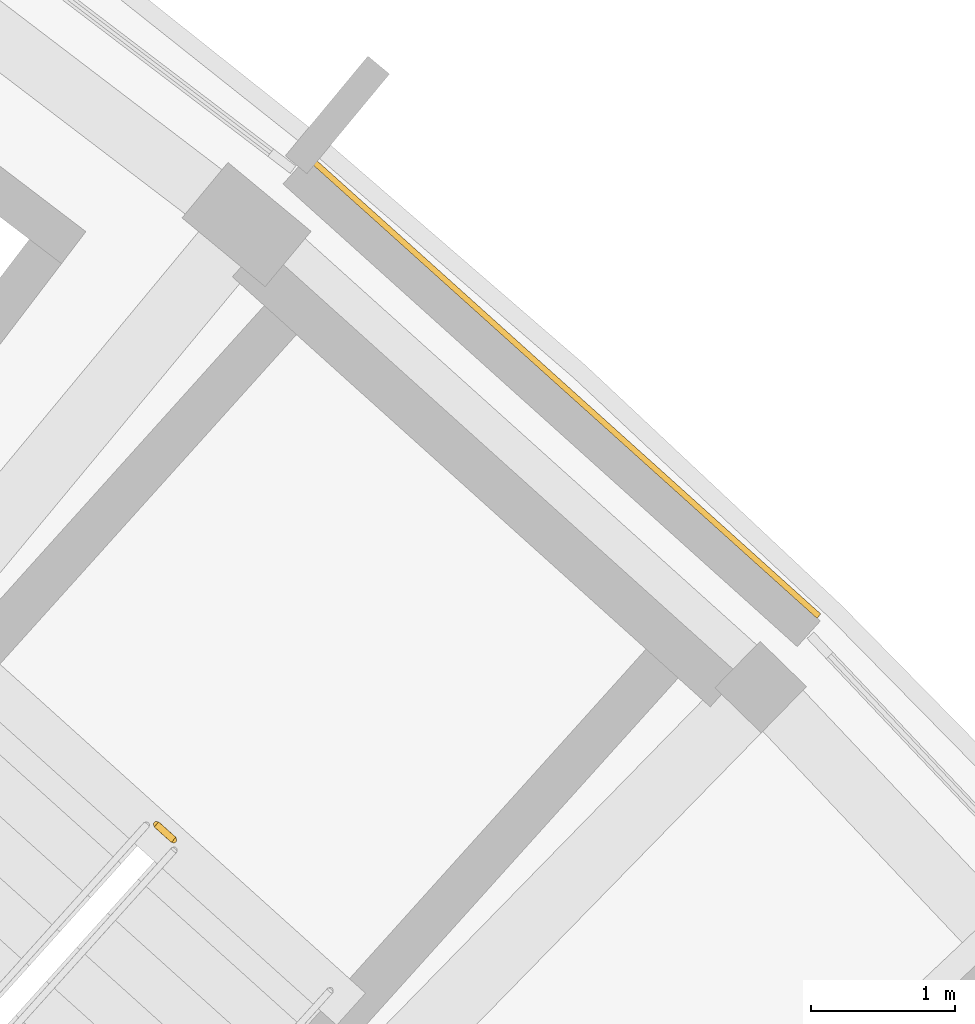
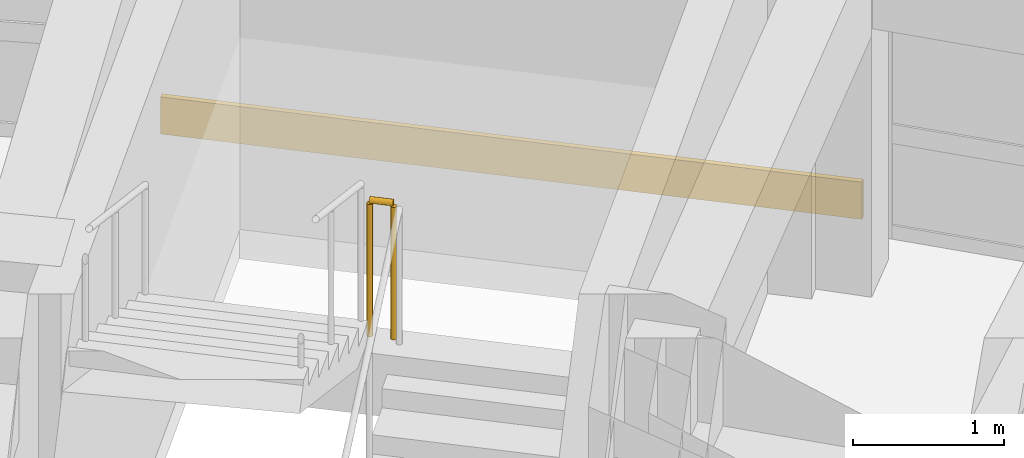
# One storey, part 53 of 56: 1 covering, 1 railing.
"""IFC4 building model written with IfcOpenShell, lengths in metres."""

from ifc_helpers import new_model, si_unit, direction, frame, origin, origin_2d, place, context, subcontext, project, spatial, rectangle, circle, extrude, material, layer, layer_set, type_object, element, save


model = new_model("IFC4")

# Units and contexts
model_context = context("Model", 3, precision=1e-05, world=origin(), true_north=direction((0.0, 1.0)))
body_context = subcontext(model_context, "Body", "Model", "MODEL_VIEW")
ifc_project = project(units=[si_unit("LENGTHUNIT", "METRE"), si_unit("AREAUNIT", "SQUARE_METRE"), si_unit("VOLUMEUNIT", "CUBIC_METRE"), si_unit("PLANEANGLEUNIT", "RADIAN"), si_unit("MASSUNIT", "GRAM", prefix="KILO")], contexts=[model_context])

# Site, building, storey
site_placement = place(None, origin())
site = spatial("IfcSite", under=ifc_project, at=site_placement, CompositionType="ELEMENT")
building_placement = place(site_placement, origin())
building = spatial("IfcBuilding", under=site, at=building_placement, Name="Zimvara Arc Housing Community", CompositionType="ELEMENT")
storey_placement = place(building_placement, frame((0.0, 0.0, 11.199951171875)))
storey = spatial("IfcBuildingStorey", under=building, at=storey_placement, Name="L03", CompositionType="ELEMENT", Elevation=11.199951171875)

# Covering
ifc_material_1 = material(Name="Pale-Gold Anodised Aluminium Cladding", Category="aluminium")
ifc_layer = layer(ifc_material_1, 0.0400390625)
ifc_layer_set = layer_set([ifc_layer], Name="Pale-Gold Anodised Aluminium Cladding")
covering_type = type_object("IfcCoveringType", Name="CLD-GOLD-01", PredefinedType="CLADDING", material=ifc_layer_set)
covering_placement = place(storey_placement, frame((84.77685546875, 88.70751953125, 0.01025390625), z_axis=(0.0, 0.0, 1.0), x_axis=(0.74337718344, -0.668872456557, 0.0)))
element("IfcCovering", 1, at=covering_placement, inside=storey, type_object=covering_type, Name="cld:blkB:L03:out:b8", PredefinedType="CLADDING", context=body_context, shape_type="SweptSolid", body=[
    extrude(rectangle(XDim=4.748779296875, YDim=0.0400390625, at=origin_2d()), origin(), (0.0, 0.0, 1.0), 0.300048828125),
])

# Railing
ifc_material_2 = material(Name="Anodised Aluminium AW-6063", Category="aluminium")
railing_type = type_object("IfcRailingType", Name="RLG-BAL-1120", PredefinedType="BALUSTRADE", material=ifc_material_2)
railing_placement = place(storey_placement, frame((82.05615234375, 85.564208984375, 1.550048828125)))
element("IfcRailing", 2, at=railing_placement, inside=storey, type_object=railing_type, Name="L03 ST-B2 stair guard 2", PredefinedType="BALUSTRADE", context=body_context, shape_type="SweptSolid", body=[
    extrude(circle(Radius=0.02392578125, at=origin_2d()), frame((0.0, 0.0, 1.09619140625), z_axis=(-0.744203407529, 0.667953058397, 0.0), x_axis=(-0.667953058397, -0.744203407529, 0.0)), (0.0, 0.0, 1.0), 0.16015625),
    extrude(circle(Radius=0.02099609375, at=origin_2d()), origin(), (0.0, 0.0, 1.0), 1.072021484375),
    extrude(circle(Radius=0.02099609375, at=origin_2d()), frame((-0.119140625, 0.10693359375, 0.0)), (0.0, 0.0, 1.0), 1.072021484375),
])

save(model, "model.ifc")
